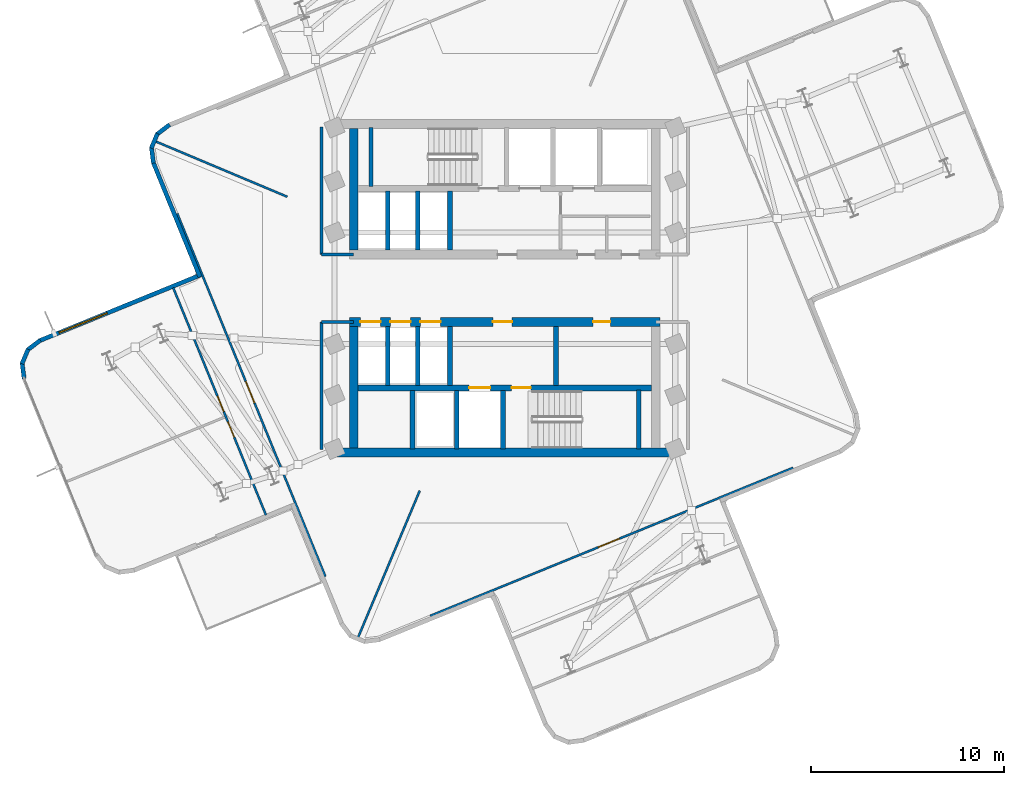
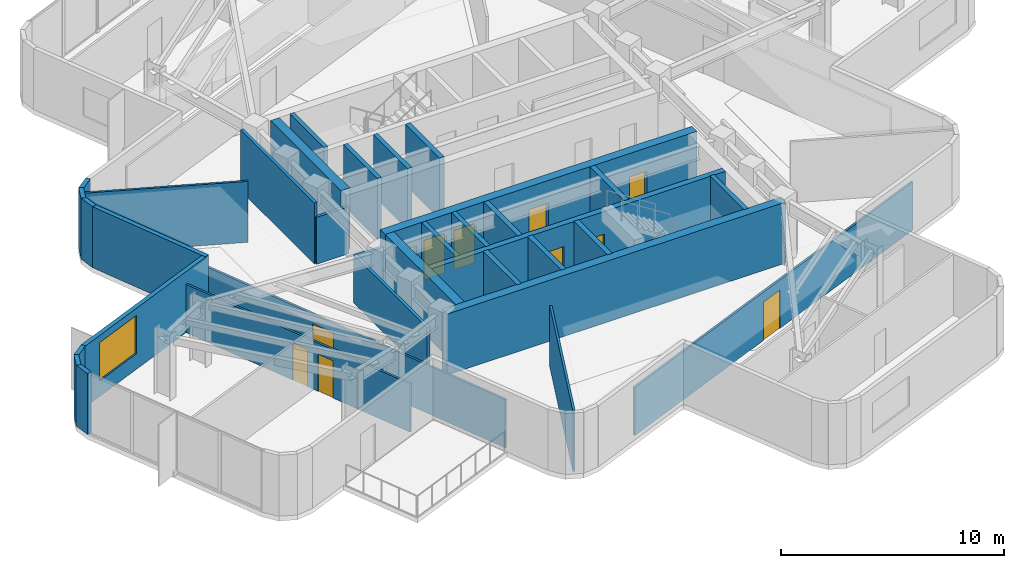
# One storey, part 6 of 11: 34 walls, 11 doors, 1 window, 12 openings.
"""IFC4 building model written with IfcOpenShell, lengths in metres."""

from ifc_helpers import new_model, si_unit, direction, frame, frame_2d, origin, place, context, subcontext, project, spatial, rectangle, extrude, material, layer, layer_set, type_object, element, fill, save


model = new_model("IFC4")

# Units and contexts
model_context = context("Model", 3, precision=1e-05, world=origin(), true_north=direction((0.0, 1.0)))
body_context = subcontext(model_context, "Body", "Model", "MODEL_VIEW")
ifc_project = project(units=[si_unit("LENGTHUNIT", "METRE"), si_unit("AREAUNIT", "SQUARE_METRE"), si_unit("VOLUMEUNIT", "CUBIC_METRE"), si_unit("PLANEANGLEUNIT", "RADIAN"), si_unit("MASSUNIT", "GRAM", prefix="KILO")], contexts=[model_context])

# Site, building, storey
site_placement = place(None, origin())
site = spatial("IfcSite", under=ifc_project, at=site_placement, CompositionType="ELEMENT")
building_placement = place(site_placement, origin())
building = spatial("IfcBuilding", under=site, at=building_placement, Name="Solmarez Civic Tower", CompositionType="ELEMENT")
storey_placement = place(building_placement, frame((0.0, 0.0, 177.47998046875)))
storey = spatial("IfcBuildingStorey", under=building, at=storey_placement, Name="L47", CompositionType="ELEMENT", Elevation=177.47998046875)

# Walls
ifc_material_1 = material(Name="Concrete C50/60", Category="concrete")
ifc_layer_1 = layer(ifc_material_1, 0.449951171875)
ifc_layer_set_1 = layer_set([ifc_layer_1], Name="Concrete C50/60")
wall_type_1 = type_object("IfcWallType", Name="WALL-CORE-450", PredefinedType="SHEAR", material=ifc_layer_set_1)
wall_1_placement = place(storey_placement, frame((-7.844970703125, 1.97509765625, 0.0), z_axis=(0.0, 0.0, 1.0), x_axis=(0.0, 1.0, 0.0)))
element("IfcWall", 1, at=wall_1_placement, inside=storey, type_object=wall_type_1, Name="L47 Split-Core Structural Wall NCW-W-L47", PredefinedType="SHEAR", context=body_context, shape_type="SweptSolid", body=[
    extrude(rectangle(XDim=6.3349609375, YDim=0.449951171875, at=frame_2d((3.16748046875, 0.0))), origin(), (0.0, 0.0, 1.0), 3.340087890625),
])
wall_2_placement = place(storey_placement, frame((8.780029296875, -8.534912109375, 0.0), z_axis=(0.0, 0.0, 1.0), x_axis=(-1.0, 0.0, 0.0)))
element("IfcWall", 2, at=wall_2_placement, inside=storey, type_object=wall_type_1, Name="L47 Split-Core Structural Wall SCW-S-L47", PredefinedType="SHEAR", context=body_context, shape_type="SweptSolid", body=[
    extrude(rectangle(XDim=17.56005859375, YDim=0.449951171875, at=frame_2d((8.780029296875, 0.0))), origin(), (0.0, 0.0, 1.0), 3.340087890625),
])

# Wall, openings, doors
wall_3_placement = place(storey_placement, frame((-8.070068359375, -1.75, 0.0), z_axis=(0.0, 0.0, 1.0), x_axis=(1.0, 0.0, 0.0)))
wall_3 = element("IfcWall", 3, at=wall_3_placement, inside=storey, type_object=wall_type_1, Name="L47 Split-Core Structural Wall SCW-N-L47", PredefinedType="SHEAR", context=body_context, shape_type="SweptSolid", body=[
    extrude(rectangle(XDim=16.14013671875, YDim=0.449951171875, at=frame_2d((8.070068359375, 0.0))), origin(), (0.0, 0.0, 1.0), 3.340087890625),
])
opening_1_placement = place(wall_3_placement, frame((7.449951171875, 0.0, 0.0)))
opening_1 = element("IfcOpeningElement", 4, at=opening_1_placement, cuts=wall_3, Name="Opening D-04", PredefinedType="OPENING", context=body_context, shape_type="SweptSolid", body=[
    extrude(rectangle(XDim=1.0, YDim=2.10009765625, at=frame_2d((0.5, 1.050048828125))), frame((0.0, 0.23486328125, 0.0), z_axis=(0.0, -1.0, 0.0), x_axis=(1.0, 0.0, 0.0)), (0.0, 0.0, 1.0), 0.469970703125),
])
opening_2_placement = place(wall_3_placement, frame((12.64990234375, 0.0, 0.0)))
opening_2 = element("IfcOpeningElement", 5, at=opening_2_placement, cuts=wall_3, Name="Opening D-09", PredefinedType="OPENING", context=body_context, shape_type="SweptSolid", body=[
    extrude(rectangle(XDim=0.89990234375, YDim=2.06005859375, at=frame_2d((0.449951171875, 1.030029296875))), frame((0.0, 0.23486328125, 0.0), z_axis=(0.0, -1.0, 0.0), x_axis=(1.0, 0.0, 0.0)), (0.0, 0.0, 1.0), 0.469970703125),
])
opening_3_placement = place(wall_3_placement, frame((0.56494140625, 0.0, 0.0)))
opening_3 = element("IfcOpeningElement", 6, at=opening_3_placement, cuts=wall_3, Name="Opening LD-01", PredefinedType="OPENING", context=body_context, shape_type="SweptSolid", body=[
    extrude(rectangle(XDim=1.050048828125, YDim=2.14990234375, at=frame_2d((0.52490234375, 1.074951171875))), frame((0.0, 0.23486328125, 0.0), z_axis=(0.0, -1.0, 0.0), x_axis=(1.0, 0.0, 0.0)), (0.0, 0.0, 1.0), 0.469970703125),
])
opening_4_placement = place(wall_3_placement, frame((2.125, 0.0, 0.0)))
opening_4 = element("IfcOpeningElement", 7, at=opening_4_placement, cuts=wall_3, Name="Opening LD-01", PredefinedType="OPENING", context=body_context, shape_type="SweptSolid", body=[
    extrude(rectangle(XDim=1.050048828125, YDim=2.14990234375, at=frame_2d((0.52490234375, 1.074951171875))), frame((0.0, 0.23486328125, 0.0), z_axis=(0.0, -1.0, 0.0), x_axis=(1.0, 0.0, 0.0)), (0.0, 0.0, 1.0), 0.469970703125),
])
opening_5_placement = place(wall_3_placement, frame((3.68505859375, 0.0, 0.0)))
opening_5 = element("IfcOpeningElement", 8, at=opening_5_placement, cuts=wall_3, Name="Opening LD-01", PredefinedType="OPENING", context=body_context, shape_type="SweptSolid", body=[
    extrude(rectangle(XDim=1.050048828125, YDim=2.14990234375, at=frame_2d((0.52490234375, 1.074951171875))), frame((0.0, 0.23486328125, 0.0), z_axis=(0.0, -1.0, 0.0), x_axis=(1.0, 0.0, 0.0)), (0.0, 0.0, 1.0), 0.469970703125),
])
ifc_material_2 = material(Name="Steel-Faced Acoustic Fire Door", Category="steel")
door_type_1 = type_object("IfcDoorType", Name="DOOR-FD60-1000", OperationType="NOTDEFINED", PredefinedType="DOOR", material=ifc_material_2)
door_1_placement = place(opening_1_placement, origin())
door_1 = element("IfcDoor", 9, at=door_1_placement, inside=storey, type_object=door_type_1, Name="L47 South Firefighting Lobby Door", OperationType="SINGLE_SWING_LEFT", OverallHeight=2.10009765625, OverallWidth=1.0, PredefinedType="DOOR", context=body_context, shape_type="SweptSolid", body=[
    extrude(rectangle(XDim=1.0, YDim=2.10009765625, at=frame_2d((0.5, 1.050048828125))), frame((0.0, 0.02490234375, 0.0), z_axis=(0.0, -1.0, 0.0), x_axis=(1.0, 0.0, 0.0)), (0.0, 0.0, 1.0), 0.050048828125),
])
fill(opening_1, door_1)
ifc_material_3 = material(Name="Fire-Rated Service Core Door", Category="wood")
door_type_2 = type_object("IfcDoorType", Name="DOOR-FD60-900", OperationType="NOTDEFINED", PredefinedType="DOOR", material=ifc_material_3)
door_2_placement = place(opening_2_placement, origin())
door_2 = element("IfcDoor", 10, at=door_2_placement, inside=storey, type_object=door_type_2, Name="L47 Freed Hoistway Mailroom Door", OperationType="SINGLE_SWING_LEFT", OverallHeight=2.06005859375, OverallWidth=0.89990234375, PredefinedType="DOOR", context=body_context, shape_type="SweptSolid", body=[
    extrude(rectangle(XDim=0.89990234375, YDim=2.06005859375, at=frame_2d((0.449951171875, 1.030029296875))), frame((0.0, 0.02490234375, 0.0), z_axis=(0.0, -1.0, 0.0), x_axis=(1.0, 0.0, 0.0)), (0.0, 0.0, 1.0), 0.050048828125),
])
fill(opening_2, door_2)
ifc_material_4 = material(Name="Bronze Passenger Lift Landing Sliding Door", Category="aluminium")
door_type_3 = type_object("IfcDoorType", Name="DOOR-LD-PAX-1050", OperationType="DOUBLE_DOOR_SLIDING", PredefinedType="DOOR", material=ifc_material_4)
door_3_placement = place(opening_3_placement, origin())
door_3 = element("IfcDoor", 11, at=door_3_placement, inside=storey, type_object=door_type_3, Name="L47 Mid-Rise Lift Landing Door PL-M1", OperationType="DOUBLE_DOOR_SLIDING", OverallHeight=2.14990234375, OverallWidth=1.050048828125, PredefinedType="DOOR", context=body_context, shape_type="SweptSolid", body=[
    extrude(rectangle(XDim=1.050048828125, YDim=2.14990234375, at=frame_2d((0.52490234375, 1.074951171875))), frame((0.0, 0.02490234375, 0.0), z_axis=(0.0, -1.0, 0.0), x_axis=(1.0, 0.0, 0.0)), (0.0, 0.0, 1.0), 0.050048828125),
])
fill(opening_3, door_3)
door_4_placement = place(opening_4_placement, origin())
door_4 = element("IfcDoor", 12, at=door_4_placement, inside=storey, type_object=door_type_3, Name="L47 Mid-Rise Lift Landing Door PL-M2", OperationType="DOUBLE_DOOR_SLIDING", OverallHeight=2.14990234375, OverallWidth=1.050048828125, PredefinedType="DOOR", context=body_context, shape_type="SweptSolid", body=[
    extrude(rectangle(XDim=1.050048828125, YDim=2.14990234375, at=frame_2d((0.52490234375, 1.074951171875))), frame((0.0, 0.02490234375, 0.0), z_axis=(0.0, -1.0, 0.0), x_axis=(1.0, 0.0, 0.0)), (0.0, 0.0, 1.0), 0.050048828125),
])
fill(opening_4, door_4)
door_5_placement = place(opening_5_placement, origin())
door_5 = element("IfcDoor", 13, at=door_5_placement, inside=storey, type_object=door_type_3, Name="L47 Mid-Rise Lift Landing Door PL-M3", OperationType="DOUBLE_DOOR_SLIDING", OverallHeight=2.14990234375, OverallWidth=1.050048828125, PredefinedType="DOOR", context=body_context, shape_type="SweptSolid", body=[
    extrude(rectangle(XDim=1.050048828125, YDim=2.14990234375, at=frame_2d((0.52490234375, 1.074951171875))), frame((0.0, 0.02490234375, 0.0), z_axis=(0.0, -1.0, 0.0), x_axis=(1.0, 0.0, 0.0)), (0.0, 0.0, 1.0), 0.050048828125),
])
fill(opening_5, door_5)

# Walls
wall_4_placement = place(storey_placement, frame((-7.844970703125, -8.31005859375, 0.0), z_axis=(0.0, 0.0, 1.0), x_axis=(0.0, 1.0, 0.0)))
element("IfcWall", 14, at=wall_4_placement, inside=storey, type_object=wall_type_1, Name="L47 Split-Core Structural Wall SCW-W-L47", PredefinedType="SHEAR", context=body_context, shape_type="SweptSolid", body=[
    extrude(rectangle(XDim=6.3349609375, YDim=0.449951171875, at=frame_2d((3.16748046875, 0.0))), origin(), (0.0, 0.0, 1.0), 3.340087890625),
])
ifc_material_5 = material(Name="Precast concrete C40/50", Category="concrete")
ifc_layer_2 = layer(ifc_material_5, 0.219970703125)
ifc_layer_set_2 = layer_set([ifc_layer_2], Name="Precast concrete C40/50")
wall_type_2 = type_object("IfcWallType", Name="WALL-EXT-220", PredefinedType="SOLIDWALL", material=ifc_layer_set_2)
wall_5_placement = place(storey_placement, frame((-24.970947265625, -4.701904296875, 0.0), z_axis=(0.0, 0.0, 1.0), x_axis=(-0.124646916858, 0.992201162123, 0.0)))
element("IfcWall", 15, at=wall_5_placement, inside=storey, type_object=wall_type_2, Name="L47 Exterior Precast Wall 7", PredefinedType="SOLIDWALL", context=body_context, shape_type="SweptSolid", body=[
    extrude(rectangle(XDim=0.83447265625, YDim=0.219970703125, at=frame_2d((0.417236328125, 0.0))), origin(), (0.0, 0.0, 1.0), 3.340087890625),
])
wall_6_placement = place(storey_placement, frame((-25.08203125, -3.922119140625, 0.0), z_axis=(0.0, 0.0, 1.0), x_axis=(0.38823015532, 0.921562448508, 0.0)))
element("IfcWall", 16, at=wall_6_placement, inside=storey, type_object=wall_type_2, Name="L47 Exterior Precast Wall 8", PredefinedType="SOLIDWALL", context=body_context, shape_type="SweptSolid", body=[
    extrude(rectangle(XDim=0.8193359375, YDim=0.219970703125, at=frame_2d((0.40966796875, 0.0))), origin(), (0.0, 0.0, 1.0), 3.340087890625),
])
wall_7_placement = place(storey_placement, frame((-24.7939453125, -3.205078125, 0.0), z_axis=(0.0, 0.0, 1.0), x_axis=(0.796900091387, 0.604111119205, 0.0)))
element("IfcWall", 17, at=wall_7_placement, inside=storey, type_object=wall_type_2, Name="L47 Exterior Precast Wall 9", PredefinedType="SOLIDWALL", context=body_context, shape_type="SweptSolid", body=[
    extrude(rectangle(XDim=0.83447265625, YDim=0.219970703125, at=frame_2d((0.417236328125, 0.0))), origin(), (0.0, 0.0, 1.0), 3.340087890625),
])

# Wall, opening, window
wall_8_placement = place(storey_placement, frame((-24.172119140625, -2.72509765625, 0.0), z_axis=(0.0, 0.0, 1.0), x_axis=(0.925879781482, 0.377818250278, 0.0)))
wall_8 = element("IfcWall", 18, at=wall_8_placement, inside=storey, type_object=wall_type_2, Name="L47 Exterior Precast Wall 10", PredefinedType="SOLIDWALL", context=body_context, shape_type="SweptSolid", body=[
    extrude(rectangle(XDim=9.0576171875, YDim=0.219970703125, at=frame_2d((4.52880859375, 0.0))), origin(), (0.0, 0.0, 1.0), 3.340087890625),
])
opening_6_placement = place(wall_8_placement, frame((1.10009765625, 0.0, 0.85009765625)))
opening_6 = element("IfcOpeningElement", 19, at=opening_6_placement, cuts=wall_8, Name="Opening W-01", PredefinedType="OPENING", context=body_context, shape_type="SweptSolid", body=[
    extrude(rectangle(XDim=2.699951171875, YDim=2.10009765625, at=frame_2d((1.35009765625, 1.050048828125))), frame((0.0, 0.119873046875, 0.0), z_axis=(0.0, -1.0, 0.0), x_axis=(1.0, 0.0, 0.0)), (0.0, 0.0, 1.0), 0.239990234375),
])
ifc_material_6 = material(Name="Solar Control Bronze-Tinted Insulating Glass", Category="glass")
window_type = type_object("IfcWindowType", Name="WIN-2700X2100", PartitioningType="SINGLE_PANEL", PredefinedType="WINDOW", material=ifc_material_6)
window_placement = place(opening_6_placement, origin())
window = element("IfcWindow", 20, at=window_placement, inside=storey, type_object=window_type, Name="L47 Exterior Facade Window 10", OverallHeight=2.10009765625, OverallWidth=2.699951171875, PartitioningType="SINGLE_PANEL", PredefinedType="WINDOW", context=body_context, shape_type="SweptSolid", body=[
    extrude(rectangle(XDim=2.699951171875, YDim=2.10009765625, at=frame_2d((1.35009765625, 1.050048828125))), frame((0.0, 0.030029296875, 0.0), z_axis=(0.0, -1.0, 0.0), x_axis=(1.0, 0.0, 0.0)), (0.0, 0.0, 1.0), 0.06005859375),
])
fill(opening_6, window)

# Walls
wall_9_placement = place(storey_placement, frame((-15.833984375, 0.5830078125, 0.0), z_axis=(0.0, 0.0, 1.0), x_axis=(-0.377776256629, 0.925896916469, 0.0)))
element("IfcWall", 21, at=wall_9_placement, inside=storey, type_object=wall_type_2, Name="L47 Exterior Precast Wall 13", PredefinedType="SOLIDWALL", context=body_context, shape_type="SweptSolid", body=[
    extrude(rectangle(XDim=6.43798828125, YDim=0.219970703125, at=frame_2d((3.218994140625, 0.0))), origin(), (0.0, 0.0, 1.0), 3.340087890625),
])
wall_10_placement = place(storey_placement, frame((-18.25390625, 6.49609375, 0.0), z_axis=(0.0, 0.0, 1.0), x_axis=(-0.124646916858, 0.992201162123, 0.0)))
element("IfcWall", 22, at=wall_10_placement, inside=storey, type_object=wall_type_2, Name="L47 Exterior Precast Wall 14", PredefinedType="SOLIDWALL", context=body_context, shape_type="SweptSolid", body=[
    extrude(rectangle(XDim=0.83447265625, YDim=0.219970703125, at=frame_2d((0.417236328125, 0.0))), origin(), (0.0, 0.0, 1.0), 3.340087890625),
])
wall_11_placement = place(storey_placement, frame((-18.364990234375, 7.27587890625, 0.0), z_axis=(0.0, 0.0, 1.0), x_axis=(0.387977068381, 0.9216690265, 0.0)))
element("IfcWall", 23, at=wall_11_placement, inside=storey, type_object=wall_type_2, Name="L47 Exterior Precast Wall 15", PredefinedType="SOLIDWALL", context=body_context, shape_type="SweptSolid", body=[
    extrude(rectangle(XDim=0.8193359375, YDim=0.219970703125, at=frame_2d((0.40966796875, 0.0))), origin(), (0.0, 0.0, 1.0), 3.340087890625),
])
wall_12_placement = place(storey_placement, frame((-18.076904296875, 7.992919921875, 0.0), z_axis=(0.0, 0.0, 1.0), x_axis=(0.796365329878, 0.604815890473, 0.0)))
element("IfcWall", 24, at=wall_12_placement, inside=storey, type_object=wall_type_2, Name="L47 Exterior Precast Wall 16", PredefinedType="SOLIDWALL", context=body_context, shape_type="SweptSolid", body=[
    extrude(rectangle(XDim=0.83349609375, YDim=0.219970703125, at=frame_2d((0.416748046875, 0.0))), origin(), (0.0, 0.0, 1.0), 3.340087890625),
])
ifc_material_7 = material(Name="Gypsum Board Acoustic Steel-Stud Partition", Category="steel")
ifc_layer_3 = layer(ifc_material_7, 0.14990234375)
ifc_layer_set_3 = layer_set([ifc_layer_3], Name="Gypsum Board Acoustic Steel-Stud Partition")
wall_type_3 = type_object("IfcWallType", Name="WALL-INT-FIRE-150", PredefinedType="PARTITIONING", material=ifc_layer_set_3)
wall_13_placement = place(storey_placement, frame((-9.52001953125, 1.75, 0.0), z_axis=(0.0, 0.0, 1.0), x_axis=(0.0, 1.0, 0.0)))
element("IfcWall", 25, at=wall_13_placement, inside=storey, type_object=wall_type_3, Name="L47 Interior Partition CHW-L47-WN1", PredefinedType="PARTITIONING", context=body_context, shape_type="SweptSolid", body=[
    extrude(rectangle(XDim=6.6298828125, YDim=0.14990234375, at=frame_2d((3.31494140625, 0.0))), origin(), (0.0, 0.0, 1.0), 3.340087890625),
])
wall_14_placement = place(storey_placement, frame((-7.85009765625, 1.75, 0.0), z_axis=(0.0, 0.0, 1.0), x_axis=(-1.0, 0.0, 0.0)))
element("IfcWall", 26, at=wall_14_placement, inside=storey, type_object=wall_type_3, Name="L47 Interior Partition CHW-L47-WN3", PredefinedType="PARTITIONING", context=body_context, shape_type="SweptSolid", body=[
    extrude(rectangle(XDim=1.669921875, YDim=0.14990234375, at=frame_2d((0.8349609375, 0.0))), origin(), (0.0, 0.0, 1.0), 2.570068359375),
])
wall_15_placement = place(storey_placement, frame((-9.52001953125, -8.3798828125, 0.0), z_axis=(0.0, 0.0, 1.0), x_axis=(0.0, 1.0, 0.0)))
element("IfcWall", 27, at=wall_15_placement, inside=storey, type_object=wall_type_3, Name="L47 Interior Partition CHW-L47-WS1", PredefinedType="PARTITIONING", context=body_context, shape_type="SweptSolid", body=[
    extrude(rectangle(XDim=6.6298828125, YDim=0.14990234375, at=frame_2d((3.31494140625, 0.0))), origin(), (0.0, 0.0, 1.0), 2.64404296875),
])
wall_16_placement = place(storey_placement, frame((-7.85009765625, -1.75, 0.0), z_axis=(0.0, 0.0, 1.0), x_axis=(-1.0, 0.0, 0.0)))
element("IfcWall", 28, at=wall_16_placement, inside=storey, type_object=wall_type_3, Name="L47 Interior Partition CHW-L47-WS3", PredefinedType="PARTITIONING", context=body_context, shape_type="SweptSolid", body=[
    extrude(rectangle(XDim=1.669921875, YDim=0.14990234375, at=frame_2d((0.8349609375, 0.0))), origin(), (0.0, 0.0, 1.0), 2.570068359375),
])
ifc_layer_4 = layer(ifc_material_7, 0.110107421875)
ifc_layer_set_4 = layer_set([ifc_layer_4], Name="Gypsum Board Acoustic Steel-Stud Partition")
wall_type_4 = type_object("IfcWallType", Name="WALL-INT-PART-110", PredefinedType="PARTITIONING", material=ifc_layer_set_4)
wall_17_placement = place(storey_placement, frame((-11.300048828125, 4.75, 0.0), z_axis=(0.0, 0.0, 1.0), x_axis=(-0.92186077199, 0.387521247245, 0.0)))
element("IfcWall", 29, at=wall_17_placement, inside=storey, type_object=wall_type_4, Name="L47 Interior Partition PT-L47-QDIV-2", PredefinedType="PARTITIONING", context=body_context, shape_type="SweptSolid", body=[
    extrude(rectangle(XDim=7.41650390625, YDim=0.110107421875, at=frame_2d((3.708251953125, 0.0))), origin(), (0.0, 0.0, 1.0), 3.340087890625),
])
wall_18_placement = place(storey_placement, frame((-4.41796875, -10.509033203125, 0.0), z_axis=(0.0, 0.0, 1.0), x_axis=(-0.387471247296, -0.921881788799, 0.0)))
element("IfcWall", 30, at=wall_18_placement, inside=storey, type_object=wall_type_4, Name="L47 Interior Partition PT-L47-QDIV-3", PredefinedType="PARTITIONING", context=body_context, shape_type="SweptSolid", body=[
    extrude(rectangle(XDim=8.2744140625, YDim=0.110107421875, at=frame_2d((4.13720703125, 0.0))), origin(), (0.0, 0.0, 1.0), 3.340087890625),
])

# Wall, opening, door
wall_19_placement = place(storey_placement, frame((-9.322998046875, -14.972900390625, 0.0), z_axis=(0.0, 0.0, 1.0), x_axis=(-0.377891753295, 0.92584978414, 0.0)))
wall_19 = element("IfcWall", 31, at=wall_19_placement, inside=storey, type_object=wall_type_4, Name="L47 Interior Partition PT-L47-W-ENT", PredefinedType="PARTITIONING", context=body_context, shape_type="SweptSolid", body=[
    extrude(rectangle(XDim=20.360595703125, YDim=0.110107421875, at=frame_2d((10.18017578125, 0.0))), origin(), (0.0, 0.0, 1.0), 2.64404296875),
])
opening_7_placement = place(wall_19_placement, frame((9.740966796875, 0.0, 0.0)))
opening_7 = element("IfcOpeningElement", 32, at=opening_7_placement, cuts=wall_19, Name="Opening D-11", PredefinedType="OPENING", context=body_context, shape_type="SweptSolid", body=[
    extrude(rectangle(XDim=1.199951171875, YDim=2.10009765625, at=frame_2d((0.60009765625, 1.050048828125))), frame((0.0, 0.06494140625, 0.0), z_axis=(0.0, -1.0, 0.0), x_axis=(1.0, 0.0, 0.0)), (0.0, 0.0, 1.0), 0.130126953125),
])
ifc_material_8 = material(Name="Glazed-Vision Acoustic Chamber Door", Category="wood")
door_type_4 = type_object("IfcDoorType", Name="DOOR-INT-1200", OperationType="NOTDEFINED", PredefinedType="DOOR", material=ifc_material_8)
door_6_placement = place(opening_7_placement, origin())
door_6 = element("IfcDoor", 33, at=door_6_placement, inside=storey, type_object=door_type_4, Name="L47 Public Reading Room First West Door", OperationType="SINGLE_SWING_LEFT", OverallHeight=2.10009765625, OverallWidth=1.199951171875, PredefinedType="DOOR", context=body_context, shape_type="SweptSolid", body=[
    extrude(rectangle(XDim=1.199951171875, YDim=2.10009765625, at=frame_2d((0.60009765625, 1.050048828125))), frame((0.0, 0.02490234375, 0.0), z_axis=(0.0, -1.0, 0.0), x_axis=(1.0, 0.0, 0.0)), (0.0, 0.0, 1.0), 0.050048828125),
])
fill(opening_7, door_6)

# Wall, openings, doors
wall_20_placement = place(storey_placement, frame((-17.22802734375, 0.028076171875, 0.0), z_axis=(0.0, 0.0, 1.0), x_axis=(0.377875224856, -0.92585653016, 0.0)))
wall_20 = element("IfcWall", 34, at=wall_20_placement, inside=storey, type_object=wall_type_4, Name="L47 Interior Partition PT-L47-W-SCUT", PredefinedType="PARTITIONING", context=body_context, shape_type="SweptSolid", body=[
    extrude(rectangle(XDim=12.75048828125, YDim=0.110107421875, at=frame_2d((6.375244140625, 0.0))), origin(), (0.0, 0.0, 1.0), 2.64404296875),
])
opening_8_placement = place(wall_20_placement, frame((6.0849609375, 0.0, 0.0)))
opening_8 = element("IfcOpeningElement", 35, at=opening_8_placement, cuts=wall_20, Name="Opening D-14", PredefinedType="OPENING", context=body_context, shape_type="SweptSolid", body=[
    extrude(rectangle(XDim=0.860107421875, YDim=2.0400390625, at=frame_2d((0.43017578125, 1.02001953125))), frame((0.0, 0.06494140625, 0.0), z_axis=(0.0, -1.0, 0.0), x_axis=(1.0, 0.0, 0.0)), (0.0, 0.0, 1.0), 0.130126953125),
])
opening_9_placement = place(wall_20_placement, frame((7.52490234375, 0.0, 0.0)))
opening_9 = element("IfcOpeningElement", 36, at=opening_9_placement, cuts=wall_20, Name="Opening D-14", PredefinedType="OPENING", context=body_context, shape_type="SweptSolid", body=[
    extrude(rectangle(XDim=0.860107421875, YDim=2.0400390625, at=frame_2d((0.43017578125, 1.02001953125))), frame((0.0, 0.06494140625, 0.0), z_axis=(0.0, -1.0, 0.0), x_axis=(1.0, 0.0, 0.0)), (0.0, 0.0, 1.0), 0.130126953125),
])
ifc_material_9 = material(Name="Timber Storage and Pantry Door", Category="wood")
door_type_5 = type_object("IfcDoorType", Name="DOOR-INT-850", OperationType="NOTDEFINED", PredefinedType="DOOR", material=ifc_material_9)
door_7_placement = place(opening_8_placement, origin())
door_7 = element("IfcDoor", 37, at=door_7_placement, inside=storey, type_object=door_type_5, Name="L47 Citizen Legal Clinic Third West Door", OperationType="SINGLE_SWING_RIGHT", OverallHeight=2.0400390625, OverallWidth=0.860107421875, PredefinedType="DOOR", context=body_context, shape_type="SweptSolid", body=[
    extrude(rectangle(XDim=0.860107421875, YDim=2.0400390625, at=frame_2d((0.43017578125, 1.02001953125))), frame((0.0, 0.02490234375, 0.0), z_axis=(0.0, -1.0, 0.0), x_axis=(1.0, 0.0, 0.0)), (0.0, 0.0, 1.0), 0.050048828125),
])
fill(opening_8, door_7)
door_8_placement = place(opening_9_placement, origin())
door_8 = element("IfcDoor", 38, at=door_8_placement, inside=storey, type_object=door_type_5, Name="L47 Wellness Fitness Room Second West Door", OperationType="SINGLE_SWING_LEFT", OverallHeight=2.0400390625, OverallWidth=0.860107421875, PredefinedType="DOOR", context=body_context, shape_type="SweptSolid", body=[
    extrude(rectangle(XDim=0.860107421875, YDim=2.0400390625, at=frame_2d((0.43017578125, 1.02001953125))), frame((0.0, 0.02490234375, 0.0), z_axis=(0.0, -1.0, 0.0), x_axis=(1.0, 0.0, 0.0)), (0.0, 0.0, 1.0), 0.050048828125),
])
fill(opening_9, door_8)

# Wall, opening, door
wall_21_placement = place(storey_placement, frame((14.972900390625, -9.322998046875, 0.0), z_axis=(0.0, 0.0, 1.0), x_axis=(-0.92584978414, -0.377891753295, 0.0)))
wall_21 = element("IfcWall", 39, at=wall_21_placement, inside=storey, type_object=wall_type_4, Name="L47 Interior Partition PT-L47-S-ENT", PredefinedType="PARTITIONING", context=body_context, shape_type="SweptSolid", body=[
    extrude(rectangle(XDim=20.360595703125, YDim=0.110107421875, at=frame_2d((10.18017578125, 0.0))), origin(), (0.0, 0.0, 1.0), 2.64404296875),
])
opening_10_placement = place(wall_21_placement, frame((9.740966796875, 0.0, 0.0)))
opening_10 = element("IfcOpeningElement", 40, at=opening_10_placement, cuts=wall_21, Name="Opening D-11", PredefinedType="OPENING", context=body_context, shape_type="SweptSolid", body=[
    extrude(rectangle(XDim=1.199951171875, YDim=2.10009765625, at=frame_2d((0.60009765625, 1.050048828125))), frame((0.0, 0.06494140625, 0.0), z_axis=(0.0, -1.0, 0.0), x_axis=(1.0, 0.0, 0.0)), (0.0, 0.0, 1.0), 0.130126953125),
])
door_9_placement = place(opening_10_placement, origin())
door_9 = element("IfcDoor", 41, at=door_9_placement, inside=storey, type_object=door_type_4, Name="L47 Delegates Study Lounge First South Door", OperationType="SINGLE_SWING_LEFT", OverallHeight=2.10009765625, OverallWidth=1.199951171875, PredefinedType="DOOR", context=body_context, shape_type="SweptSolid", body=[
    extrude(rectangle(XDim=1.199951171875, YDim=2.10009765625, at=frame_2d((0.60009765625, 1.050048828125))), frame((0.0, 0.02490234375, 0.0), z_axis=(0.0, -1.0, 0.0), x_axis=(1.0, 0.0, 0.0)), (0.0, 0.0, 1.0), 0.050048828125),
])
fill(opening_10, door_9)

# Wall, openings, doors
ifc_layer_5 = layer(ifc_material_1, 0.300048828125)
ifc_layer_set_5 = layer_set([ifc_layer_5], Name="Concrete C50/60")
wall_type_5 = type_object("IfcWallType", Name="WALL-STR-300", PredefinedType="SOLIDWALL", material=ifc_layer_set_5)
wall_22_placement = place(storey_placement, frame((-7.6201171875, -5.179931640625, 0.0), z_axis=(0.0, 0.0, 1.0), x_axis=(1.0, 0.0, 0.0)))
wall_22 = element("IfcWall", 42, at=wall_22_placement, inside=storey, type_object=wall_type_5, Name="L47 Split-Core Structural Wall SCW-M-L47", PredefinedType="SOLIDWALL", context=body_context, shape_type="SweptSolid", body=[
    extrude(rectangle(XDim=15.240234375, YDim=0.300048828125, at=frame_2d((7.6201171875, 0.0))), origin(), (0.0, 0.0, 1.0), 3.340087890625),
])
opening_11_placement = place(wall_22_placement, frame((5.77001953125, 0.0, 0.0)))
opening_11 = element("IfcOpeningElement", 43, at=opening_11_placement, cuts=wall_22, Name="Opening LD-02", PredefinedType="OPENING", context=body_context, shape_type="SweptSolid", body=[
    extrude(rectangle(XDim=1.10009765625, YDim=2.14990234375, at=frame_2d((0.550048828125, 1.074951171875))), frame((0.0, 0.159912109375, 0.0), z_axis=(0.0, -1.0, 0.0), x_axis=(1.0, 0.0, 0.0)), (0.0, 0.0, 1.0), 0.320068359375),
])
opening_12_placement = place(wall_22_placement, frame((7.969970703125, 0.0, 0.0)))
opening_12 = element("IfcOpeningElement", 44, at=opening_12_placement, cuts=wall_22, Name="Opening D-05", PredefinedType="OPENING", context=body_context, shape_type="SweptSolid", body=[
    extrude(rectangle(XDim=1.0, YDim=2.10009765625, at=frame_2d((0.5, 1.050048828125))), frame((0.0, 0.159912109375, 0.0), z_axis=(0.0, -1.0, 0.0), x_axis=(1.0, 0.0, 0.0)), (0.0, 0.0, 1.0), 0.320068359375),
])
ifc_material_10 = material(Name="Fire-Rated Stairwell Exit Door", Category="wood")
door_type_6 = type_object("IfcDoorType", Name="DOOR-FD90-1000", OperationType="NOTDEFINED", PredefinedType="DOOR", material=ifc_material_10)
door_10_placement = place(opening_12_placement, origin())
door_10 = element("IfcDoor", 45, at=door_10_placement, inside=storey, type_object=door_type_6, Name="L47 South Exit Stair Door ST-2", OperationType="SINGLE_SWING_LEFT", OverallHeight=2.10009765625, OverallWidth=1.0, PredefinedType="DOOR", context=body_context, shape_type="SweptSolid", body=[
    extrude(rectangle(XDim=1.0, YDim=2.10009765625, at=frame_2d((0.5, 1.050048828125))), frame((0.0, 0.02490234375, 0.0), z_axis=(0.0, -1.0, 0.0), x_axis=(1.0, 0.0, 0.0)), (0.0, 0.0, 1.0), 0.050048828125),
])
fill(opening_12, door_10)
ifc_material_11 = material(Name="Stainless Firefighting Lift Landing Sliding Door", Category="aluminium")
door_type_7 = type_object("IfcDoorType", Name="DOOR-LD-FF-1100", OperationType="DOUBLE_DOOR_SLIDING", PredefinedType="DOOR", material=ifc_material_11)
door_11_placement = place(opening_11_placement, origin())
door_11 = element("IfcDoor", 46, at=door_11_placement, inside=storey, type_object=door_type_7, Name="L47 Firefighting Lift Landing Door FFL-2", OperationType="DOUBLE_DOOR_SLIDING", OverallHeight=2.14990234375, OverallWidth=1.10009765625, PredefinedType="DOOR", context=body_context, shape_type="SweptSolid", body=[
    extrude(rectangle(XDim=1.10009765625, YDim=2.14990234375, at=frame_2d((0.550048828125, 1.074951171875))), frame((0.0, 0.02490234375, 0.0), z_axis=(0.0, -1.0, 0.0), x_axis=(1.0, 0.0, 0.0)), (0.0, 0.0, 1.0), 0.050048828125),
])
fill(opening_11, door_11)

# Walls
for number, where, z_axis, x_axis, name in (
    (47, (-6.949951171875, 5.280029296875, 0.0), (0.0, 0.0, 1.0), (0.0, 1.0, 0.0), "L47 Split-Core Structural Wall SHW-NW-L47"),
    (48, (6.949951171875, -8.340087890625, 0.0), (0.0, 0.0, 1.0), (0.0, 1.0, 0.0), "L47 Split-Core Structural Wall SHW-SE-L47"),
):
    element("IfcWall", number, at=place(storey_placement, frame(where, z_axis=z_axis, x_axis=x_axis)), inside=storey, type_object=wall_type_5, Name=name, PredefinedType="SOLIDWALL", context=body_context, shape_type="SweptSolid", body=[
        extrude(rectangle(XDim=3.06005859375, YDim=0.219970703125, at=frame_2d((1.530029296875, 0.0))), origin(), (0.0, 0.0, 1.0), 3.340087890625),
    ])
wall_23_placement = place(storey_placement, frame((-2.85009765625, 1.97998046875, 0.0), z_axis=(0.0, 0.0, 1.0), x_axis=(0.0, 1.0, 0.0)))
element("IfcWall", 49, at=wall_23_placement, inside=storey, type_object=wall_type_5, Name="L47 Split-Core Structural Wall SHW-NL1-L47", PredefinedType="SOLIDWALL", context=body_context, shape_type="SweptSolid", body=[
    extrude(rectangle(XDim=3.070068359375, YDim=0.25, at=frame_2d((1.53515625, 0.0))), origin(), (0.0, 0.0, 1.0), 3.340087890625),
])
for number, where, z_axis, x_axis, name in (
    (50, (-0.10009765625, -8.340087890625, 0.0), (0.0, 0.0, 1.0), (0.0, 1.0, 0.0), "L47 Split-Core Structural Wall SHW-S1-L47"),
    (51, (-2.5, -8.340087890625, 0.0), (0.0, 0.0, 1.0), (0.0, 1.0, 0.0), "L47 Split-Core Structural Wall SHW-S2-L47"),
    (52, (-4.800048828125, -8.340087890625, 0.0), (0.0, 0.0, 1.0), (0.0, 1.0, 0.0), "L47 Split-Core Structural Wall SHW-S3-L47"),
):
    element("IfcWall", number, at=place(storey_placement, frame(where, z_axis=z_axis, x_axis=x_axis)), inside=storey, type_object=wall_type_5, Name=name, PredefinedType="SOLIDWALL", context=body_context, shape_type="SweptSolid", body=[
        extrude(rectangle(XDim=3.0400390625, YDim=0.25, at=frame_2d((1.52001953125, 0.0))), origin(), (0.0, 0.0, 1.0), 3.340087890625),
    ])
for number, where, z_axis, x_axis, name in (
    (53, (-2.85009765625, -5.050048828125, 0.0), (0.0, 0.0, 1.0), (0.0, 1.0, 0.0), "L47 Split-Core Structural Wall SHW-SL1-L47"),
    (54, (2.64990234375, -5.050048828125, 0.0), (0.0, 0.0, 1.0), (0.0, 1.0, 0.0), "L47 Split-Core Structural Wall SHW-SL2-L47"),
):
    element("IfcWall", number, at=place(storey_placement, frame(where, z_axis=z_axis, x_axis=x_axis)), inside=storey, type_object=wall_type_5, Name=name, PredefinedType="SOLIDWALL", context=body_context, shape_type="SweptSolid", body=[
        extrude(rectangle(XDim=3.070068359375, YDim=0.25, at=frame_2d((1.53515625, 0.0))), origin(), (0.0, 0.0, 1.0), 3.340087890625),
    ])
for number, where, z_axis, x_axis, name in (
    (55, (-6.080078125, 1.97998046875, 0.0), (0.0, 0.0, 1.0), (0.0, 1.0, 0.0), "L47 Split-Core Structural Wall SHW-PLH-L47-1"),
    (56, (-4.52001953125, 1.97998046875, 0.0), (0.0, 0.0, 1.0), (0.0, 1.0, 0.0), "L47 Split-Core Structural Wall SHW-PLH-L47-2"),
    (57, (-6.080078125, -5.050048828125, 0.0), (0.0, 0.0, 1.0), (0.0, 1.0, 0.0), "L47 Split-Core Structural Wall SHW-PLM-L47-1"),
    (58, (-4.52001953125, -5.050048828125, 0.0), (0.0, 0.0, 1.0), (0.0, 1.0, 0.0), "L47 Split-Core Structural Wall SHW-PLM-L47-2"),
):
    element("IfcWall", number, at=place(storey_placement, frame(where, z_axis=z_axis, x_axis=x_axis)), inside=storey, type_object=wall_type_5, Name=name, PredefinedType="SOLIDWALL", context=body_context, shape_type="SweptSolid", body=[
        extrude(rectangle(XDim=3.070068359375, YDim=0.219970703125, at=frame_2d((1.53515625, 0.0))), origin(), (0.0, 0.0, 1.0), 3.340087890625),
    ])

save(model, "model.ifc")
